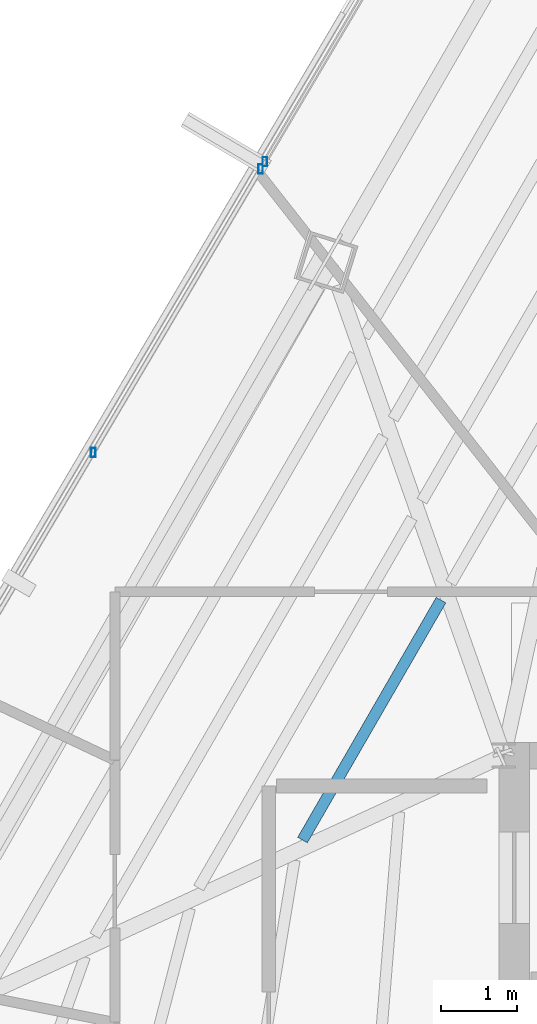
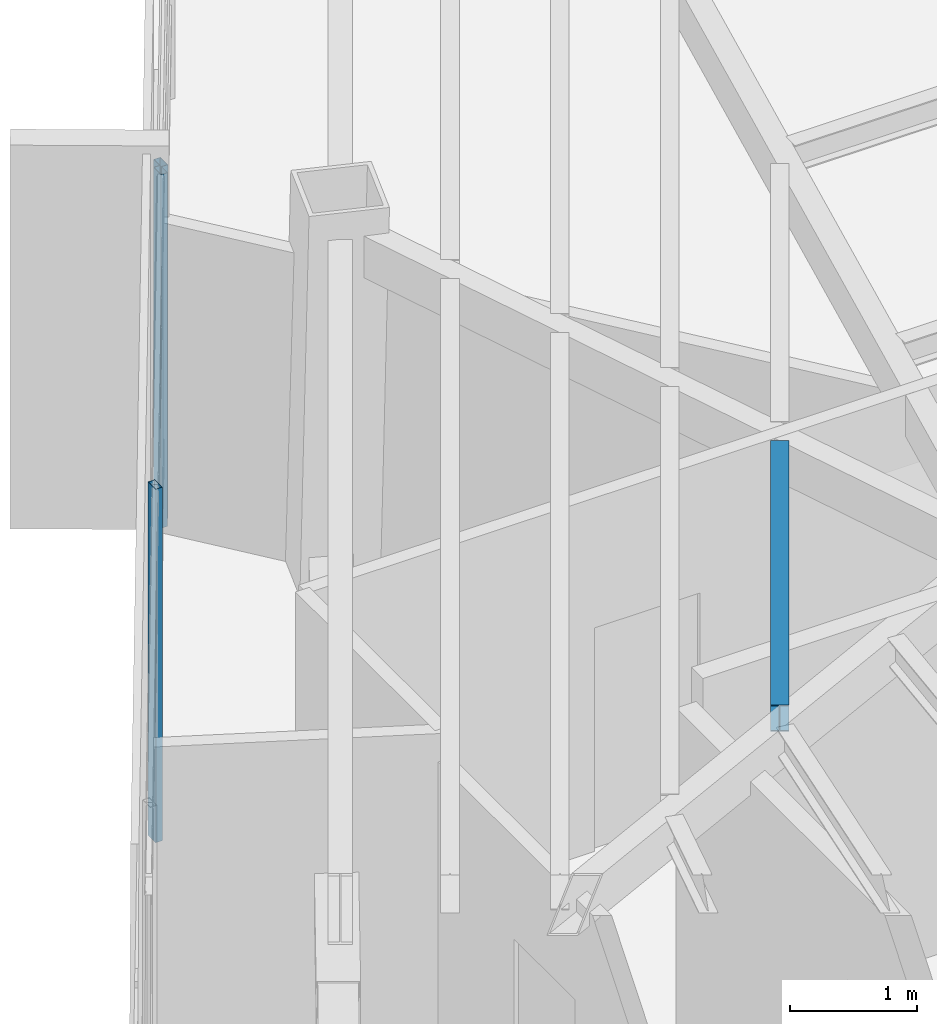
# One storey, part 17 of 46: 3 members, 1 beam, 2 elements without a shape of their own.
"""IFC4 building model written with IfcOpenShell, lengths in metres."""

from ifc_helpers import new_model, si_unit, direction, frame, origin, origin_2d, place, context, subcontext, project, spatial, hollow_rectangle, i_section, extrude, source, transform, mapped, material, material_profile, profile_set, type_object, type_shapes, element, aggregate, save


model = new_model("IFC4")

# Units and contexts
model_context = context("Model", 3, precision=1e-05, world=origin(), true_north=direction((0.0, 1.0)))
body_context = subcontext(model_context, "Body", "Model", "MODEL_VIEW")
ifc_project = project(units=[si_unit("LENGTHUNIT", "METRE"), si_unit("AREAUNIT", "SQUARE_METRE"), si_unit("VOLUMEUNIT", "CUBIC_METRE"), si_unit("PLANEANGLEUNIT", "RADIAN"), si_unit("MASSUNIT", "GRAM", prefix="KILO")], contexts=[model_context])

# Site, building, storey
site_placement = place(None, origin())
site = spatial("IfcSite", under=ifc_project, at=site_placement, CompositionType="ELEMENT")
building_placement = place(site_placement, origin())
building = spatial("IfcBuilding", under=site, at=building_placement, Name="Caelisora Broadcast Tower", CompositionType="ELEMENT")
storey_placement = place(building_placement, frame((0.0, 0.0, 251.75)))
storey = spatial("IfcBuildingStorey", under=building, at=storey_placement, Name="L66", CompositionType="ELEMENT", Elevation=251.75)

# Beam
ifc_material_1 = material(Name="Steel Grade 350 (AS/NZS 3679.1)", Category="steel")
ifc_material_profile_1 = material_profile(ifc_material_1, i_section(OverallWidth=0.14599609375, OverallDepth=0.256103515625, WebThickness=0.00634765625, FlangeThickness=0.010986328125, at=origin_2d()), Name="Steel Grade 350 (AS/NZS 3679.1)")
ifc_profile_set_1 = profile_set([ifc_material_profile_1], Name="Steel Grade 350 (AS/NZS 3679.1)")
beam_type = type_object("IfcBeamType", Name="SB04", PredefinedType="JOIST", material=ifc_profile_set_1)
shared_shape_1 = source(origin(), body_context, "Body", "SweptSolid", [
    extrude(i_section(OverallWidth=0.14599609375, OverallDepth=0.256103515625, WebThickness=0.00634765625, FlangeThickness=0.010986328125, at=origin_2d()), origin(), (0.0, 0.0, 1.0), 3.634521484375),
])
type_shapes(beam_type, [shared_shape_1])
beam_placement = place(storey_placement, frame((29.678955078125, 32.039794921875, 3.27197265625), z_axis=(-0.499960853992, -0.866048003563, 0.0), x_axis=(0.866048003563, -0.499960853992, 0.0)))
element("IfcBeam", 1, at=beam_placement, inside=storey, type_object=beam_type, Name="L66 beam SB04", PredefinedType="JOIST", context=body_context, shape_type="MappedRepresentation", body=[
    mapped(shared_shape_1, transform((0.0, 0.0, 0.0), scale=1.0)),
])

# Curtain wall, members
ifc_material_2 = material(Name="Unitised Aluminium Insulated Shadow-Box Spandrel Curtain Wall", Category="aluminium")
curtain_wall_type_1 = type_object("IfcCurtainWallType", Name="CW-SP3", PredefinedType="NOTDEFINED", material=ifc_material_2)
curtain_wall_1_placement = place(storey_placement, origin())
curtain_wall_1 = element("IfcCurtainWall", 2, at=curtain_wall_1_placement, inside=storey, type_object=curtain_wall_type_1, Name="L66 curtain wall CW-SP3", PredefinedType="NOTDEFINED")
ifc_material_3 = material(Name="Aluminium 6063-T6 Anodised Terracotta Bronze", Category="aluminium")
ifc_material_profile_2 = material_profile(ifc_material_3, hollow_rectangle(XDim=0.06005859375, YDim=0.1201171875, WallThickness=0.0029296875, at=origin_2d()), Name="Aluminium 6063-T6 Anodised Terracotta Bronze")
ifc_profile_set_2 = profile_set([ifc_material_profile_2], Name="Aluminium 6063-T6 Anodised Terracotta Bronze")
member_type = type_object("IfcMemberType", Name="CWM-04", PredefinedType="MULLION", material=ifc_profile_set_2)
shared_shape_2 = source(origin(), body_context, "Body", "SweptSolid", [
    extrude(hollow_rectangle(XDim=0.06005859375, YDim=0.1201171875, WallThickness=0.0029296875, at=origin_2d()), origin(), (0.0, 0.0, 1.0), 3.39990234375),
])
type_shapes(member_type, [shared_shape_2])
member_1_placement = place(storey_placement, frame((25.117431640625, 33.975830078125, 0.0), z_axis=(0.0, 0.0, 1.0), x_axis=(1.0, 0.0, 0.0)))
member_1 = element("IfcMember", 3, at=member_1_placement, type_object=member_type, Name="L66-CW-B10 mullion #2", PredefinedType="MULLION", context=body_context, shape_type="MappedRepresentation", body=[
    mapped(shared_shape_2, transform((0.0, 0.0, 0.0), scale=1.0)),
])
member_2_placement = place(storey_placement, frame((27.313232421875, 37.695068359375, 0.0), z_axis=(0.0, 0.0, 1.0), x_axis=(1.0, 0.0, 0.0)))
member_2 = element("IfcMember", 4, at=member_2_placement, type_object=member_type, Name="L66-CW-B10 mullion #3", PredefinedType="MULLION", context=body_context, shape_type="MappedRepresentation", body=[
    mapped(shared_shape_2, transform((0.0, 0.0, 0.0), scale=1.0)),
])
aggregate(curtain_wall_1, [member_1, member_2])

# Curtain wall, member
ifc_material_4 = material(Name="Unitised Aluminium and Low-E Glass Curtain Wall", Category="glass")
curtain_wall_type_2 = type_object("IfcCurtainWallType", Name="CW-Z5", PredefinedType="NOTDEFINED", material=ifc_material_4)
curtain_wall_2_placement = place(storey_placement, origin())
curtain_wall_2 = element("IfcCurtainWall", 5, at=curtain_wall_2_placement, inside=storey, type_object=curtain_wall_type_2, Name="L66 curtain wall CW-Z5", PredefinedType="NOTDEFINED")
member_3_placement = place(storey_placement, frame((27.369140625, 37.789794921875, 0.0), z_axis=(0.0, 0.0, 1.0), x_axis=(1.0, 0.0, 0.0)))
member_3 = element("IfcMember", 6, at=member_3_placement, type_object=member_type, Name="L66-CW-B11 mullion #0", PredefinedType="MULLION", context=body_context, shape_type="MappedRepresentation", body=[
    mapped(shared_shape_2, transform((0.0, 0.0, 0.0), scale=1.0)),
])
aggregate(curtain_wall_2, [member_3])

save(model, "model.ifc")
